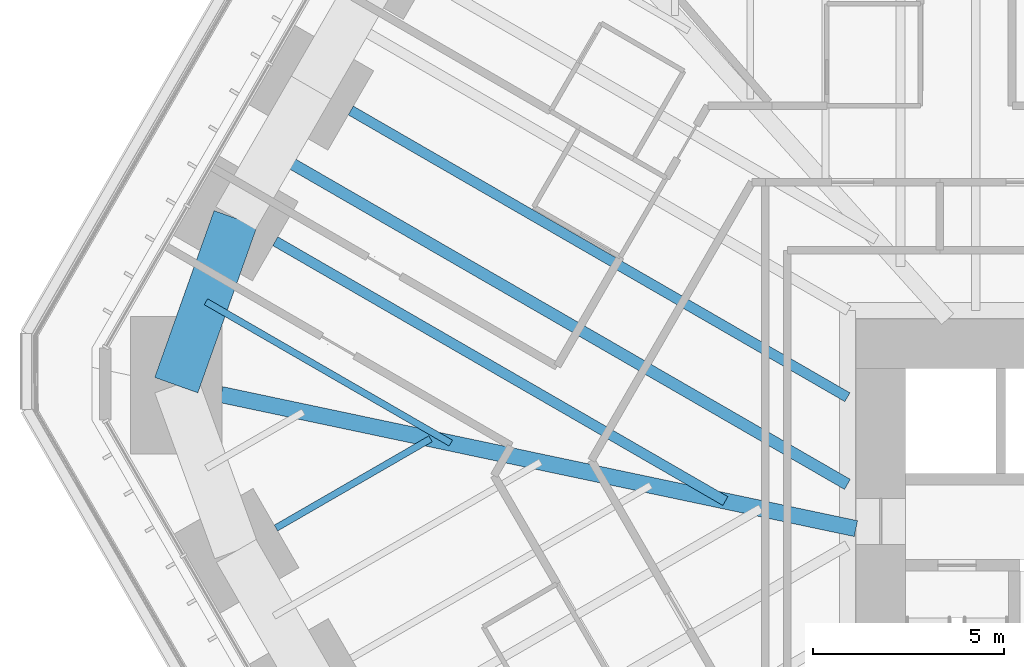
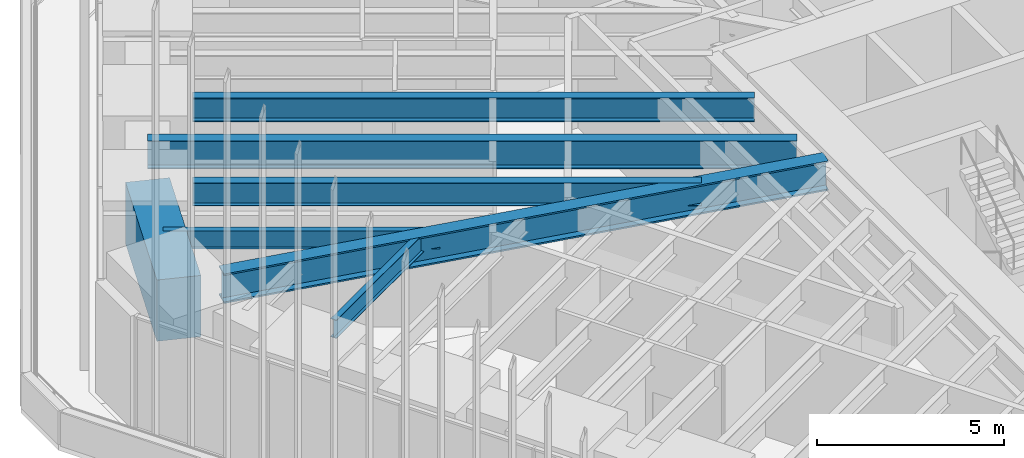
# One storey, part 128 of 238: 7 beams.
"""IFC4 building model written with IfcOpenShell, lengths in metres."""

import ifcopenshell
import ifcopenshell.guid

model = None  # the IFC model being written
_history = None  # IfcOwnerHistory: only IFC2X3 demands one
_inside = {}  # id of a spatial element -> (the spatial element, [elements in it])
_under = {}  # id of a project, library or spatial element -> (it, [spatial elements below it])
_declared = {}  # id of a project -> (the project, [libraries it declares])
_typed = {}  # id of a type object -> (the type object, [elements of that type])
_made_of = {}  # id of a material, layer set ... -> (it, [elements and type objects made of it])


def new_model(schema):
    """Start an empty IFC model of exactly this schema.

    Asked for "IFC4X3", IfcOpenShell would pick the latest addendum, in which some entities
    have other attributes; the version numbers below select the first issue.
    IFC2X3 requires an IfcOwnerHistory on every rooted entity: one is made here for all.
    """
    global model, _history
    if schema == "IFC4X3":
        model = ifcopenshell.file(schema_version=(4, 3, 0, 0))
    else:
        model = ifcopenshell.file(schema=schema)
    _inside.clear()
    _under.clear()
    _declared.clear()
    _typed.clear()
    _made_of.clear()
    _history = None
    if model.schema == "IFC2X3":
        org = make("IfcOrganization", Name="unknown")
        user = make(
            "IfcPersonAndOrganization",
            ThePerson=make("IfcPerson", FamilyName="unknown"),
            TheOrganization=org,
        )
        app = make(
            "IfcApplication",
            ApplicationDeveloper=org,
            Version="unknown",
            ApplicationFullName="unknown",
            ApplicationIdentifier="unknown",
        )
        _history = make(
            "IfcOwnerHistory",
            OwningUser=user,
            OwningApplication=app,
            ChangeAction="ADDED",
            CreationDate=0,
        )
    return model


def make(cls, **values):
    """One entity of the class cls with the attributes given. An attribute that is None is left unset."""
    return model.create_entity(
        cls, **{name: value for name, value in values.items() if value is not None}
    )


def rooted(cls, **values):
    """An entity with a GlobalId (a new one), such as an element, a storey or a relation."""
    return make(cls, GlobalId=ifcopenshell.guid.new(), OwnerHistory=_history, **values)


def si_unit(unit_type, name, prefix=None):
    """IfcSIUnit, for example si_unit("LENGTHUNIT", "METRE", prefix="MILLI")."""
    return make("IfcSIUnit", UnitType=unit_type, Prefix=prefix, Name=name)


def assignment(units):
    """IfcUnitAssignment: the units of a project."""
    return None if units is None else make("IfcUnitAssignment", Units=units)


def point(xyz):
    """IfcCartesianPoint."""
    return None if xyz is None else make("IfcCartesianPoint", Coordinates=xyz)


def direction(xyz):
    """IfcDirection."""
    return None if xyz is None else make("IfcDirection", DirectionRatios=xyz)


def frame(location, z_axis=None, x_axis=None):
    """IfcAxis2Placement3D, a coordinate frame: its origin and axes. An axis left out is left unset."""
    return make(
        "IfcAxis2Placement3D",
        Location=point(location),
        Axis=direction(z_axis),
        RefDirection=direction(x_axis),
    )


def frame_2d(location, x_axis=None):
    """IfcAxis2Placement2D, a coordinate frame in the plane: its origin and x axis."""
    return make(
        "IfcAxis2Placement2D", Location=point(location), RefDirection=direction(x_axis)
    )


def origin():
    """The frame at (0, 0, 0) with its axes left unset."""
    return frame((0.0, 0.0, 0.0))


def origin_2d():
    """The frame at (0, 0) in the plane with its x axis left unset."""
    return frame_2d((0.0, 0.0))


def place(relative_to, where):
    """IfcLocalPlacement: puts the frame where relative to a parent placement (None: the world)."""
    return make(
        "IfcLocalPlacement", PlacementRelTo=relative_to, RelativePlacement=where
    )


def context(
    kind, dimensions, precision=None, world=None, true_north=None, identifier=None
):
    """IfcGeometricRepresentationContext, for example the 3D "Model" context."""
    return make(
        "IfcGeometricRepresentationContext",
        ContextIdentifier=identifier,
        ContextType=kind,
        CoordinateSpaceDimension=dimensions,
        Precision=precision,
        WorldCoordinateSystem=world,
        TrueNorth=true_north,
    )


def subcontext(parent, identifier, kind, view, scale=None):
    """IfcGeometricRepresentationSubContext, for example "Body" below "Model"."""
    return make(
        "IfcGeometricRepresentationSubContext",
        ContextIdentifier=identifier,
        ContextType=kind,
        ParentContext=parent,
        TargetScale=scale,
        TargetView=view,
    )


def project(units=None, contexts=None):
    """IfcProject with its units and contexts."""
    return rooted(
        "IfcProject",
        Name="project",
        RepresentationContexts=contexts,
        UnitsInContext=assignment(units),
    )


def spatial(cls, under=None, at=None, **own):
    """A site, building, storey or space (cls), placed at a placement, below another one or the project."""
    s = rooted(cls, ObjectPlacement=at, **own)
    if under is not None:
        _under.setdefault(under.id(), (under, []))[1].append(s)
    return s


def profile(cls, at=None, kind="AREA", **sizes):
    """A parametric profile (cls). Its sizes go by their IFC names, for example OverallWidth=200.0."""
    return make(cls, ProfileType=kind, Position=at, **sizes)


def rectangle(**sizes):
    """IfcRectangleProfileDef."""
    return profile("IfcRectangleProfileDef", **sizes)


def i_section(**sizes):
    """IfcIShapeProfileDef."""
    return profile("IfcIShapeProfileDef", **sizes)


def extrude(swept, where, along, depth):
    """IfcExtrudedAreaSolid: the profile swept, set in the frame where, extruded along a direction by depth."""
    return make(
        "IfcExtrudedAreaSolid",
        SweptArea=swept,
        Position=where,
        ExtrudedDirection=direction(along),
        Depth=depth,
    )


def shape(context_of_items, identifier, shape_type, items):
    """IfcShapeRepresentation: the items that make up one representation, for example the "Body"."""
    return make(
        "IfcShapeRepresentation",
        ContextOfItems=context_of_items,
        RepresentationIdentifier=identifier,
        RepresentationType=shape_type,
        Items=items,
    )


def material(Name=None, Category=None):
    """IfcMaterial."""
    return make("IfcMaterial", Name=Name, Category=Category)


def material_profile(
    of_material, cross_section, Name=None, Category=None, Priority=None
):
    """IfcMaterialProfile: a cross section and its material."""
    return make(
        "IfcMaterialProfile",
        Name=Name,
        Material=of_material,
        Profile=cross_section,
        Priority=Priority,
        Category=Category,
    )


def profile_set(profiles, Name=None, composite=None):
    """IfcMaterialProfileSet."""
    return make(
        "IfcMaterialProfileSet",
        Name=Name,
        MaterialProfiles=profiles,
        CompositeProfile=composite,
    )


def made_of(thing, what):
    """Note that an element or type object is made of a material, layer set ...; save() writes the relation."""
    if what is not None:
        _made_of.setdefault(what.id(), (what, []))[1].append(thing)
    return thing


def type_object(cls, material=None, **own):
    """A type object (cls), such as IfcWallType, which elements share."""
    return made_of(rooted(cls, **own), material)


def element(
    cls,
    number,
    at=None,
    inside=None,
    cuts=None,
    type_object=None,
    material=None,
    context=None,
    identifier="Body",
    shape_type=None,
    held_by="IfcProductDefinitionShape",
    body=None,
    shapes=None,
    **own,
):
    """One element of the class cls, such as IfcWall. Its Tag is "e" and its number.

    at: its placement. inside: the storey or other place that contains it. cuts: it is an
    opening in that element (IfcRelVoidsElement). A single representation is given by context,
    identifier, shape_type and body (its items); several are given by shapes. held_by: the class
    of the entity that holds the representations. save() writes the other relations.
    """
    e = rooted(cls, Tag="e%d" % number, ObjectPlacement=at, **own)
    if body is not None:
        shapes = [shape(context, identifier, shape_type, body)]
    if shapes is not None:
        e.Representation = make(held_by, Representations=shapes)
    if inside is not None:
        _inside.setdefault(inside.id(), (inside, []))[1].append(e)
    if cuts is not None:
        rooted(
            "IfcRelVoidsElement", RelatingBuildingElement=cuts, RelatedOpeningElement=e
        )
    if type_object is not None:
        _typed.setdefault(type_object.id(), (type_object, []))[1].append(e)
    return made_of(e, material)


def aggregate(whole, parts):
    """IfcRelAggregates: a whole, such as a stair, and the parts it consists of."""
    return rooted("IfcRelAggregates", RelatingObject=whole, RelatedObjects=parts)


def save(model, path):
    """Write the relations noted so far, then the file.

    IfcRelAggregates (storeys below a building ...), IfcRelContainedInSpatialStructure (elements
    in a storey), IfcRelDefinesByType, IfcRelAssociatesMaterial and IfcRelDeclares: one each for
    every whole, place, type object, material and project.
    """
    for whole, parts in _under.values():
        aggregate(whole, parts)
    for where, things in _inside.values():
        rooted(
            "IfcRelContainedInSpatialStructure",
            RelatedElements=things,
            RelatingStructure=where,
        )
    for kind, things in _typed.values():
        rooted("IfcRelDefinesByType", RelatedObjects=things, RelatingType=kind)
    for what, things in _made_of.values():
        rooted("IfcRelAssociatesMaterial", RelatedObjects=things, RelatingMaterial=what)
    for by, libraries in _declared.values():
        rooted("IfcRelDeclares", RelatingContext=by, RelatedDefinitions=libraries)
    model.write(path)


model = new_model("IFC4")

# Units and contexts
model_context = context("Model", 3, precision=1e-05, world=origin(), true_north=direction((0.0, 1.0)))
body_context = subcontext(model_context, "Body", "Model", "MODEL_VIEW")
ifc_project = project(units=[si_unit("LENGTHUNIT", "METRE"), si_unit("AREAUNIT", "SQUARE_METRE"), si_unit("VOLUMEUNIT", "CUBIC_METRE"), si_unit("PLANEANGLEUNIT", "RADIAN"), si_unit("MASSUNIT", "GRAM", prefix="KILO")], contexts=[model_context])

# Site, building, storey
site_placement = place(None, origin())
site = spatial("IfcSite", under=ifc_project, at=site_placement, CompositionType="ELEMENT")
building_placement = place(site_placement, origin())
building = spatial("IfcBuilding", under=site, at=building_placement, Name="Sandreach Pilgrim Tower", CompositionType="ELEMENT")
storey_placement = place(building_placement, frame((0.0, 0.0, 96.800048828125)))
storey = spatial("IfcBuildingStorey", under=building, at=storey_placement, Name="L23", CompositionType="ELEMENT", Elevation=96.800048828125)

# Beams
ifc_material_1 = material(Name="Steel ASTM A992 Grade 50", Category="steel")
ifc_material_profile_1 = material_profile(ifc_material_1, i_section(OverallWidth=0.424072265625, OverallDepth=0.965087890625, WebThickness=0.028564453125, FlangeThickness=0.051025390625, at=origin_2d()), Name="W36X361")
ifc_profile_set_1 = profile_set([ifc_material_profile_1], Name="Steel ASTM A992 Grade 50")
beam_type_1 = type_object("IfcBeamType", Name="Corner girder W36X361", PredefinedType="BEAM", material=ifc_profile_set_1)
beam_1_placement = place(storey_placement, frame((-25.68310546875, 5.422607421875, 3.157470703125), z_axis=(0.978427865996, -0.206588748585, 0.0), x_axis=(0.206588748585, 0.978427865996, 0.0)))
element("IfcBeam", 1, at=beam_1_placement, inside=storey, type_object=beam_type_1, Name="BM L23 CG35", PredefinedType="BEAM", context=body_context, shape_type="SweptSolid", body=[
    extrude(i_section(OverallWidth=0.424072265625, OverallDepth=0.965087890625, WebThickness=0.028564453125, FlangeThickness=0.051025390625, at=origin_2d()), origin(), (0.0, 0.0, 1.0), 16.999755859375),
])
ifc_material_2 = material(Name="Steel ASTM A992 Grade 50", Category="steel")
ifc_material_profile_2 = material_profile(ifc_material_2, i_section(OverallWidth=0.1787109375, OverallDepth=0.60205078125, WebThickness=0.010986328125, FlangeThickness=0.014892578125, at=origin_2d()), Name="W24X62")
ifc_profile_set_2 = profile_set([ifc_material_profile_2], Name="Steel ASTM A992 Grade 50")
beam_type_2 = type_object("IfcBeamType", Name="Floor beam W24X62", PredefinedType="BEAM", material=ifc_profile_set_2)
beam_2_placement = place(storey_placement, frame((-24.24462890625, 1.925537109375, 3.3388671875), z_axis=(0.866040404911, 0.499974016386, 0.0), x_axis=(-0.499974016386, 0.866040404911, 0.0)))
element("IfcBeam", 2, at=beam_2_placement, inside=storey, type_object=beam_type_2, Name="BM L23 F34", PredefinedType="BEAM", context=body_context, shape_type="SweptSolid", body=[
    extrude(i_section(OverallWidth=0.1787109375, OverallDepth=0.60205078125, WebThickness=0.010986328125, FlangeThickness=0.014892578125, at=origin_2d()), origin(), (0.0, 0.0, 1.0), 4.676513671875),
])
beam_3_placement = place(storey_placement, frame((-26.079345703125, 7.855712890625, 3.3388671875), z_axis=(0.866025875064, -0.499999183719, 0.0), x_axis=(0.499999183719, 0.866025875064, 0.0)))
element("IfcBeam", 3, at=beam_3_placement, inside=storey, type_object=beam_type_2, Name="BM L23 FM35", PredefinedType="BEAM", context=body_context, shape_type="SweptSolid", body=[
    extrude(i_section(OverallWidth=0.1787109375, OverallDepth=0.60205078125, WebThickness=0.010986328125, FlangeThickness=0.014892578125, at=origin_2d()), origin(), (0.0, 0.0, 1.0), 7.40771484375),
])
ifc_material_3 = material(Name="Steel ASTM A992 Grade 50", Category="steel")
ifc_material_profile_3 = material_profile(ifc_material_3, i_section(OverallWidth=0.2666015625, OverallDepth=0.761962890625, WebThickness=0.014404296875, FlangeThickness=0.021484375, at=origin_2d()), Name="W30X116")
ifc_profile_set_3 = profile_set([ifc_material_profile_3], Name="Steel ASTM A992 Grade 50")
beam_type_3 = type_object("IfcBeamType", Name="Floor beam W30X116", PredefinedType="BEAM", material=ifc_profile_set_3)
beam_4_placement = place(storey_placement, frame((-24.262451171875, 9.440673828125, 3.259033203125), z_axis=(0.866032106686, -0.499988390054, 0.0), x_axis=(0.499988390054, 0.866032106686, 0.0)))
element("IfcBeam", 4, at=beam_4_placement, inside=storey, type_object=beam_type_3, Name="BM L23 F36", PredefinedType="BEAM", context=body_context, shape_type="SweptSolid", body=[
    extrude(i_section(OverallWidth=0.2666015625, OverallDepth=0.761962890625, WebThickness=0.014404296875, FlangeThickness=0.021484375, at=origin_2d()), origin(), (0.0, 0.0, 1.0), 13.615478515625),
])
ifc_material_4 = material(Name="Steel ASTM A992 Grade 50", Category="steel")
ifc_material_profile_4 = material_profile(ifc_material_4, i_section(OverallWidth=0.2666015625, OverallDepth=0.77978515625, WebThickness=0.0166015625, FlangeThickness=0.030029296875, at=origin_2d()), Name="W30X148")
ifc_profile_set_4 = profile_set([ifc_material_profile_4], Name="Steel ASTM A992 Grade 50")
beam_type_4 = type_object("IfcBeamType", Name="Floor beam W30X148", PredefinedType="BEAM", material=ifc_profile_set_4)
beam_5_placement = place(storey_placement, frame((-22.28466796875, 12.8662109375, 3.25), z_axis=(0.866023780995, -0.500002810742, 0.0), x_axis=(0.500002810742, 0.866023780995, 0.0)))
element("IfcBeam", 5, at=beam_5_placement, inside=storey, type_object=beam_type_4, Name="BM L23 F37", PredefinedType="BEAM", context=body_context, shape_type="SweptSolid", body=[
    extrude(i_section(OverallWidth=0.2666015625, OverallDepth=0.77978515625, WebThickness=0.0166015625, FlangeThickness=0.030029296875, at=origin_2d()), origin(), (0.0, 0.0, 1.0), 15.02587890625),
])
ifc_material_5 = material(Name="Steel ASTM A992 Grade 50", Category="steel")
ifc_material_profile_5 = material_profile(ifc_material_5, i_section(OverallWidth=0.3046875, OverallDepth=0.914306640625, WebThickness=0.0166015625, FlangeThickness=0.02587890625, at=origin_2d()), Name="W36X160")
ifc_profile_set_5 = profile_set([ifc_material_profile_5], Name="Steel ASTM A992 Grade 50")
beam_type_5 = type_object("IfcBeamType", Name="Floor beam W36X160", PredefinedType="BEAM", material=ifc_profile_set_5)
beam_6_placement = place(storey_placement, frame((-24.312744140625, 11.75341796875, 3.182861328125), z_axis=(0.866024296162, -0.500001918454, 0.0), x_axis=(0.500001918454, 0.866024296162, 0.0)))
element("IfcBeam", 6, at=beam_6_placement, inside=storey, type_object=beam_type_5, Name="BM L23 FM36", PredefinedType="BEAM", context=body_context, shape_type="SweptSolid", body=[
    extrude(i_section(OverallWidth=0.3046875, OverallDepth=0.914306640625, WebThickness=0.0166015625, FlangeThickness=0.02587890625, at=origin_2d()), origin(), (0.0, 0.0, 1.0), 17.36767578125),
])
ifc_material_6 = material(Name="Concrete 10000 psi", Category="concrete")
ifc_material_profile_6 = material_profile(ifc_material_6, rectangle(XDim=1.199951171875, YDim=2.0, at=origin_2d()), Name="RC1200X2000")
ifc_profile_set_6 = profile_set([ifc_material_profile_6], Name="Concrete 10000 psi")
beam_type_6 = type_object("IfcBeamType", Name="Spandrel beam RC1200X2000", PredefinedType="SPANDREL", material=ifc_profile_set_6)
beam_7_placement = place(storey_placement, frame((-26.857177734375, 5.67041015625, 2.639892578125), z_axis=(0.335346041399, 0.942095023083, 0.0), x_axis=(-0.942095023083, 0.335346041399, 0.0)))
element("IfcBeam", 7, at=beam_7_placement, inside=storey, type_object=beam_type_6, Name="BM L23 SP35", PredefinedType="SPANDREL", context=body_context, shape_type="SweptSolid", body=[
    extrude(rectangle(XDim=1.199951171875, YDim=2.0, at=origin_2d()), origin(), (0.0, 0.0, 1.0), 4.638916015625),
])

save(model, "model.ifc")
